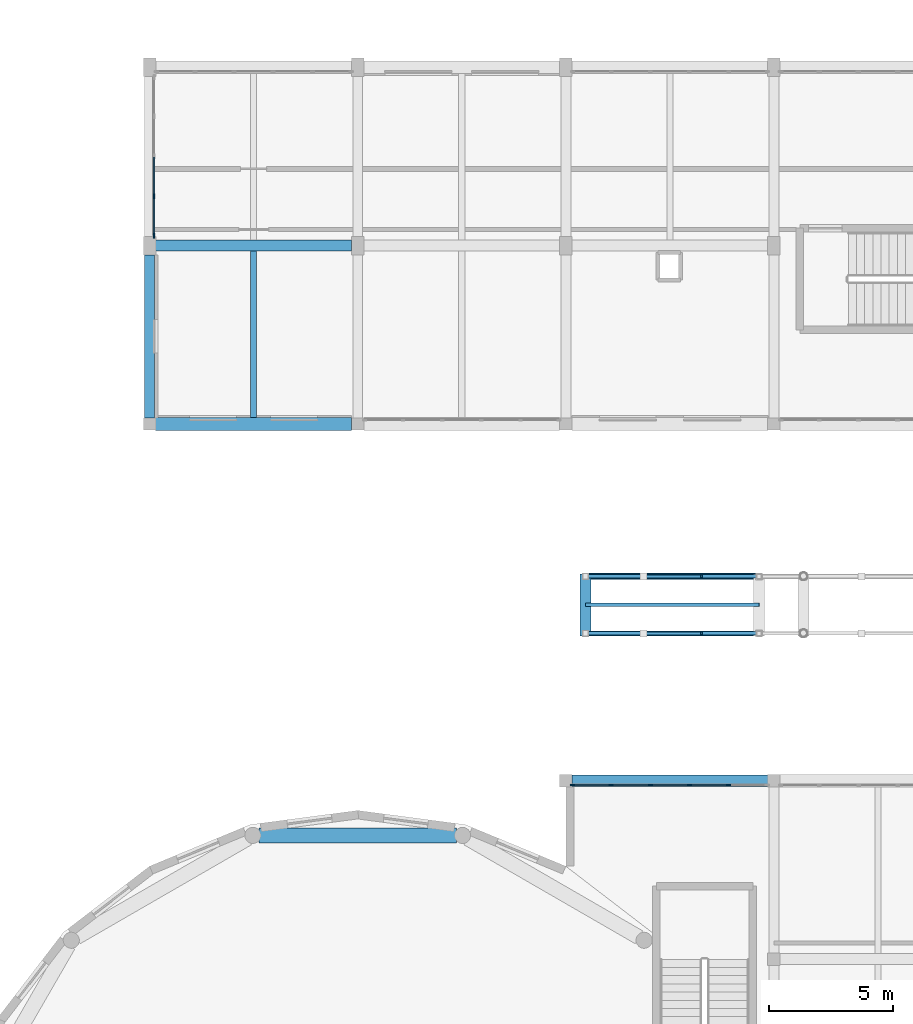
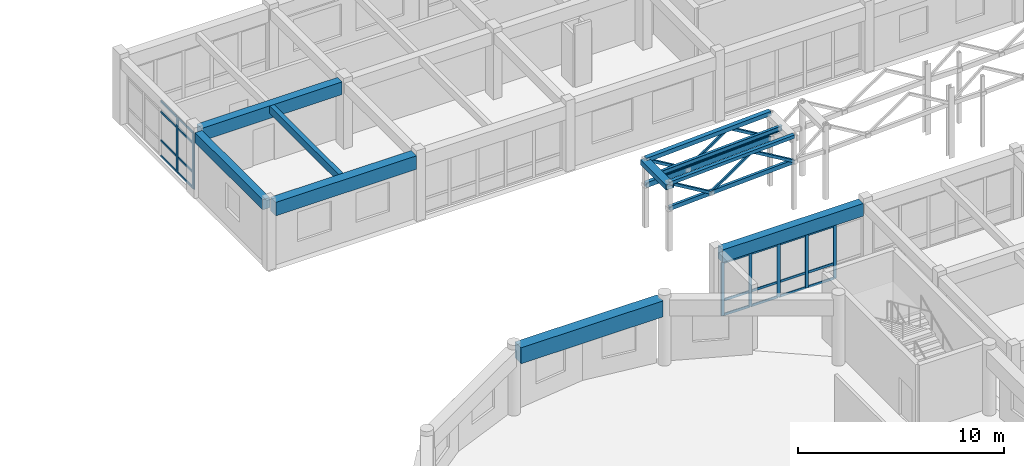
# One storey, part 35 of 147: 37 members, 8 beams, 2 elements without a shape of their own.
"""IFC4 building model written with IfcOpenShell, lengths in metres."""

from ifc_helpers import new_model, si_unit, direction, frame, origin, origin_2d, place, context, subcontext, project, spatial, rectangle, hollow_rectangle, i_section, extrude, material, material_profile, profile_set, type_object, element, aggregate, save


model = new_model("IFC4")

# Units and contexts
model_context = context("Model", 3, precision=1e-05, world=origin(), true_north=direction((0.0, 1.0)))
body_context = subcontext(model_context, "Body", "Model", "MODEL_VIEW")
ifc_project = project(units=[si_unit("LENGTHUNIT", "METRE"), si_unit("AREAUNIT", "SQUARE_METRE"), si_unit("VOLUMEUNIT", "CUBIC_METRE"), si_unit("PLANEANGLEUNIT", "RADIAN"), si_unit("MASSUNIT", "GRAM", prefix="KILO")], contexts=[model_context])

# Site, building, storey
site_placement = place(None, origin())
site = spatial("IfcSite", under=ifc_project, at=site_placement, CompositionType="ELEMENT")
building_placement = place(site_placement, origin())
building = spatial("IfcBuilding", under=site, at=building_placement, Name="Malvenik Polytechnic", CompositionType="ELEMENT")
storey_placement = place(building_placement, frame((0.0, 0.0, 5.10009765625)))
storey = spatial("IfcBuildingStorey", under=building, at=storey_placement, Name="L01", CompositionType="ELEMENT", Elevation=5.10009765625)

# Curtain wall, members
ifc_material_1 = material(Name="Anodised aluminium 6060-T6", Category="aluminium")
curtain_wall_type_1 = type_object("IfcCurtainWallType", Name="ARC-CW-CW-02", PredefinedType="NOTDEFINED", material=ifc_material_1)
curtain_wall_1_placement = place(storey_placement, origin())
curtain_wall_1 = element("IfcCurtainWall", 1, at=curtain_wall_1_placement, inside=storey, type_object=curtain_wall_type_1, Name="Unitised Curtain Wall CW-02 L01 #130", PredefinedType="NOTDEFINED")
ifc_material_2 = material(Name="Anodised aluminium", Category="aluminium")
ifc_material_profile_1 = material_profile(ifc_material_2, rectangle(XDim=0.06005859375, YDim=0.179931640625, at=origin_2d()), Name="ALU MULLION 60x180")
ifc_profile_set_1 = profile_set([ifc_material_profile_1], Name="Anodised aluminium")
member_type_1 = type_object("IfcMemberType", Name="ARC-CWM-180", PredefinedType="MULLION", material=ifc_profile_set_1)
member_1_placement = place(storey_placement, frame((25.47802734375, 35.830078125, 0.0), z_axis=(0.0, 0.0, 1.0), x_axis=(0.0, 1.0, 0.0)))
member_1 = element("IfcMember", 2, at=member_1_placement, type_object=member_type_1, Name="CW-02 mullion 1", PredefinedType="MULLION", context=body_context, shape_type="SweptSolid", body=[
    extrude(rectangle(XDim=0.06005859375, YDim=0.179931640625, at=origin_2d()), origin(), (0.0, 0.0, 1.0), 3.159912109375),
])
member_2_placement = place(storey_placement, frame((27.02880859375, 35.830078125, 0.0), z_axis=(0.0, 0.0, 1.0), x_axis=(0.0, 1.0, 0.0)))
member_2 = element("IfcMember", 3, at=member_2_placement, type_object=member_type_1, Name="CW-02 mullion 2", PredefinedType="MULLION", context=body_context, shape_type="SweptSolid", body=[
    extrude(rectangle(XDim=0.06005859375, YDim=0.179931640625, at=origin_2d()), origin(), (0.0, 0.0, 1.0), 3.159912109375),
])
member_3_placement = place(storey_placement, frame((28.609619140625, 35.830078125, 0.0), z_axis=(0.0, 0.0, 1.0), x_axis=(0.0, 1.0, 0.0)))
member_3 = element("IfcMember", 4, at=member_3_placement, type_object=member_type_1, Name="CW-02 mullion 3", PredefinedType="MULLION", context=body_context, shape_type="SweptSolid", body=[
    extrude(rectangle(XDim=0.06005859375, YDim=0.179931640625, at=origin_2d()), origin(), (0.0, 0.0, 1.0), 3.159912109375),
])
member_4_placement = place(storey_placement, frame((30.1904296875, 35.830078125, 0.0), z_axis=(0.0, 0.0, 1.0), x_axis=(0.0, 1.0, 0.0)))
member_4 = element("IfcMember", 5, at=member_4_placement, type_object=member_type_1, Name="CW-02 mullion 4", PredefinedType="MULLION", context=body_context, shape_type="SweptSolid", body=[
    extrude(rectangle(XDim=0.06005859375, YDim=0.179931640625, at=origin_2d()), origin(), (0.0, 0.0, 1.0), 3.159912109375),
])
member_5_placement = place(storey_placement, frame((31.771240234375, 35.830078125, 0.0), z_axis=(0.0, 0.0, 1.0), x_axis=(0.0, 1.0, 0.0)))
member_5 = element("IfcMember", 6, at=member_5_placement, type_object=member_type_1, Name="CW-02 mullion 5", PredefinedType="MULLION", context=body_context, shape_type="SweptSolid", body=[
    extrude(rectangle(XDim=0.06005859375, YDim=0.179931640625, at=origin_2d()), origin(), (0.0, 0.0, 1.0), 3.159912109375),
])

curtain_wall_type_2 = type_object("IfcCurtainWallType", Name="ARC-CW-CW-05", PredefinedType="NOTDEFINED", material=ifc_material_1)
curtain_wall_2_placement = place(storey_placement, origin())
curtain_wall_2 = element("IfcCurtainWall", 7, at=curtain_wall_2_placement, inside=storey, type_object=curtain_wall_type_2, Name="Unitised Curtain Wall CW-05 L01 #123", PredefinedType="NOTDEFINED")
ifc_material_profile_2 = material_profile(ifc_material_2, rectangle(XDim=0.06005859375, YDim=0.199951171875, at=origin_2d()), Name="ALU MULLION 60x200")
ifc_profile_set_2 = profile_set([ifc_material_profile_2], Name="Anodised aluminium")
member_type_2 = type_object("IfcMemberType", Name="ARC-CWM-200", PredefinedType="MULLION", material=ifc_profile_set_2)
member_6_placement = place(storey_placement, frame((8.570068359375, 58.0029296875, 0.0), z_axis=(0.0, 0.0, 1.0), x_axis=(-1.0, 0.0, 0.0)))
member_6 = element("IfcMember", 8, at=member_6_placement, type_object=member_type_2, Name="CW-05 mullion 1", PredefinedType="MULLION", context=body_context, shape_type="SweptSolid", body=[
    extrude(rectangle(XDim=0.06005859375, YDim=0.199951171875, at=origin_2d()), origin(), (0.0, 0.0, 1.0), 3.309814453125),
])
member_7_placement = place(storey_placement, frame((8.570068359375, 59.58642578125, 0.0), z_axis=(0.0, 0.0, 1.0), x_axis=(-1.0, 0.0, 0.0)))
member_7 = element("IfcMember", 9, at=member_7_placement, type_object=member_type_2, Name="CW-05 mullion 2", PredefinedType="MULLION", context=body_context, shape_type="SweptSolid", body=[
    extrude(rectangle(XDim=0.06005859375, YDim=0.199951171875, at=origin_2d()), origin(), (0.0, 0.0, 1.0), 3.309814453125),
])
ifc_material_profile_3 = material_profile(ifc_material_2, rectangle(XDim=0.06005859375, YDim=0.1201171875, at=origin_2d()), Name="ALU TRANSOM 60x120")
ifc_profile_set_3 = profile_set([ifc_material_profile_3], Name="Anodised aluminium")
member_type_3 = type_object("IfcMemberType", Name="ARC-CWT-120", PredefinedType="USERDEFINED", material=ifc_profile_set_3)
member_8_placement = place(storey_placement, frame((8.570068359375, 58.032958984375, 0.02978515625), z_axis=(0.0, 1.0, 0.0), x_axis=(-1.0, 0.0, 0.0)))
member_8 = element("IfcMember", 10, at=member_8_placement, type_object=member_type_3, Name="CW-05 transom 1.1", ObjectType="TRANSOM", PredefinedType="USERDEFINED", context=body_context, shape_type="SweptSolid", body=[
    extrude(rectangle(XDim=0.06005859375, YDim=0.1201171875, at=origin_2d()), origin(), (0.0, 0.0, 1.0), 1.5234375),
])
member_9_placement = place(storey_placement, frame((8.570068359375, 58.032958984375, 0.949951171875), z_axis=(0.0, 1.0, 0.0), x_axis=(-1.0, 0.0, 0.0)))
member_9 = element("IfcMember", 11, at=member_9_placement, type_object=member_type_3, Name="CW-05 transom 1.2", ObjectType="TRANSOM", PredefinedType="USERDEFINED", context=body_context, shape_type="SweptSolid", body=[
    extrude(rectangle(XDim=0.06005859375, YDim=0.1201171875, at=origin_2d()), origin(), (0.0, 0.0, 1.0), 1.5234375),
])
member_10_placement = place(storey_placement, frame((8.570068359375, 58.032958984375, 2.659912109375), z_axis=(0.0, 1.0, 0.0), x_axis=(-1.0, 0.0, 0.0)))
member_10 = element("IfcMember", 12, at=member_10_placement, type_object=member_type_3, Name="CW-05 transom 1.3", ObjectType="TRANSOM", PredefinedType="USERDEFINED", context=body_context, shape_type="SweptSolid", body=[
    extrude(rectangle(XDim=0.06005859375, YDim=0.1201171875, at=origin_2d()), origin(), (0.0, 0.0, 1.0), 1.5234375),
])
member_11_placement = place(storey_placement, frame((8.570068359375, 58.032958984375, 3.27978515625), z_axis=(0.0, 1.0, 0.0), x_axis=(-1.0, 0.0, 0.0)))
member_11 = element("IfcMember", 13, at=member_11_placement, type_object=member_type_3, Name="CW-05 transom 1.4", ObjectType="TRANSOM", PredefinedType="USERDEFINED", context=body_context, shape_type="SweptSolid", body=[
    extrude(rectangle(XDim=0.06005859375, YDim=0.1201171875, at=origin_2d()), origin(), (0.0, 0.0, 1.0), 1.5234375),
])
member_12_placement = place(storey_placement, frame((8.570068359375, 59.616455078125, 0.02978515625), z_axis=(0.0, 1.0, 0.0), x_axis=(-1.0, 0.0, 0.0)))
member_12 = element("IfcMember", 14, at=member_12_placement, type_object=member_type_3, Name="CW-05 transom 2.1", ObjectType="TRANSOM", PredefinedType="USERDEFINED", context=body_context, shape_type="SweptSolid", body=[
    extrude(rectangle(XDim=0.06005859375, YDim=0.1201171875, at=origin_2d()), origin(), (0.0, 0.0, 1.0), 1.553466796875),
])
member_13_placement = place(storey_placement, frame((8.570068359375, 59.616455078125, 0.949951171875), z_axis=(0.0, 1.0, 0.0), x_axis=(-1.0, 0.0, 0.0)))
member_13 = element("IfcMember", 15, at=member_13_placement, type_object=member_type_3, Name="CW-05 transom 2.2", ObjectType="TRANSOM", PredefinedType="USERDEFINED", context=body_context, shape_type="SweptSolid", body=[
    extrude(rectangle(XDim=0.06005859375, YDim=0.1201171875, at=origin_2d()), origin(), (0.0, 0.0, 1.0), 1.553466796875),
])
member_14_placement = place(storey_placement, frame((8.570068359375, 59.616455078125, 2.659912109375), z_axis=(0.0, 1.0, 0.0), x_axis=(-1.0, 0.0, 0.0)))
member_14 = element("IfcMember", 16, at=member_14_placement, type_object=member_type_3, Name="CW-05 transom 2.3", ObjectType="TRANSOM", PredefinedType="USERDEFINED", context=body_context, shape_type="SweptSolid", body=[
    extrude(rectangle(XDim=0.06005859375, YDim=0.1201171875, at=origin_2d()), origin(), (0.0, 0.0, 1.0), 1.553466796875),
])
member_15_placement = place(storey_placement, frame((8.570068359375, 59.616455078125, 3.27978515625), z_axis=(0.0, 1.0, 0.0), x_axis=(-1.0, 0.0, 0.0)))
member_15 = element("IfcMember", 17, at=member_15_placement, type_object=member_type_3, Name="CW-05 transom 2.4", ObjectType="TRANSOM", PredefinedType="USERDEFINED", context=body_context, shape_type="SweptSolid", body=[
    extrude(rectangle(XDim=0.06005859375, YDim=0.1201171875, at=origin_2d()), origin(), (0.0, 0.0, 1.0), 1.553466796875),
])
aggregate(curtain_wall_2, [member_6, member_7, member_8, member_9, member_10, member_11, member_12, member_13, member_14, member_15])

# Member
ifc_material_profile_4 = material_profile(ifc_material_2, rectangle(XDim=0.06005859375, YDim=0.139892578125, at=origin_2d()), Name="ALU TRANSOM 60x140")
ifc_profile_set_4 = profile_set([ifc_material_profile_4], Name="Anodised aluminium")
member_type_4 = type_object("IfcMemberType", Name="ARC-CWT-140", PredefinedType="USERDEFINED", material=ifc_profile_set_4)
member_16_placement = place(storey_placement, frame((25.508056640625, 35.830078125, 0.02978515625), z_axis=(1.0, 0.0, 0.0), x_axis=(0.0, 1.0, 0.0)))
member_16 = element("IfcMember", 18, at=member_16_placement, type_object=member_type_4, Name="CW-02 transom 1.1", ObjectType="TRANSOM", PredefinedType="USERDEFINED", context=body_context, shape_type="SweptSolid", body=[
    extrude(rectangle(XDim=0.06005859375, YDim=0.139892578125, at=origin_2d()), origin(), (0.0, 0.0, 1.0), 1.49072265625),
])

member_17_placement = place(storey_placement, frame((25.508056640625, 35.830078125, 0.89990234375), z_axis=(1.0, 0.0, 0.0), x_axis=(0.0, 1.0, 0.0)))
member_17 = element("IfcMember", 19, at=member_17_placement, type_object=member_type_4, Name="CW-02 transom 1.2", ObjectType="TRANSOM", PredefinedType="USERDEFINED", context=body_context, shape_type="SweptSolid", body=[
    extrude(rectangle(XDim=0.06005859375, YDim=0.139892578125, at=origin_2d()), origin(), (0.0, 0.0, 1.0), 1.49072265625),
])

member_18_placement = place(storey_placement, frame((25.508056640625, 35.830078125, 3.1298828125), z_axis=(1.0, 0.0, 0.0), x_axis=(0.0, 1.0, 0.0)))
member_18 = element("IfcMember", 20, at=member_18_placement, type_object=member_type_4, Name="CW-02 transom 1.3", ObjectType="TRANSOM", PredefinedType="USERDEFINED", context=body_context, shape_type="SweptSolid", body=[
    extrude(rectangle(XDim=0.06005859375, YDim=0.139892578125, at=origin_2d()), origin(), (0.0, 0.0, 1.0), 1.49072265625),
])

member_19_placement = place(storey_placement, frame((27.058837890625, 35.830078125, 0.02978515625), z_axis=(1.0, 0.0, 0.0), x_axis=(0.0, 1.0, 0.0)))
member_19 = element("IfcMember", 21, at=member_19_placement, type_object=member_type_4, Name="CW-02 transom 2.1", ObjectType="TRANSOM", PredefinedType="USERDEFINED", context=body_context, shape_type="SweptSolid", body=[
    extrude(rectangle(XDim=0.06005859375, YDim=0.139892578125, at=origin_2d()), origin(), (0.0, 0.0, 1.0), 1.520751953125),
])

member_20_placement = place(storey_placement, frame((27.058837890625, 35.830078125, 0.89990234375), z_axis=(1.0, 0.0, 0.0), x_axis=(0.0, 1.0, 0.0)))
member_20 = element("IfcMember", 22, at=member_20_placement, type_object=member_type_4, Name="CW-02 transom 2.2", ObjectType="TRANSOM", PredefinedType="USERDEFINED", context=body_context, shape_type="SweptSolid", body=[
    extrude(rectangle(XDim=0.06005859375, YDim=0.139892578125, at=origin_2d()), origin(), (0.0, 0.0, 1.0), 1.520751953125),
])

member_21_placement = place(storey_placement, frame((27.058837890625, 35.830078125, 3.1298828125), z_axis=(1.0, 0.0, 0.0), x_axis=(0.0, 1.0, 0.0)))
member_21 = element("IfcMember", 23, at=member_21_placement, type_object=member_type_4, Name="CW-02 transom 2.3", ObjectType="TRANSOM", PredefinedType="USERDEFINED", context=body_context, shape_type="SweptSolid", body=[
    extrude(rectangle(XDim=0.06005859375, YDim=0.139892578125, at=origin_2d()), origin(), (0.0, 0.0, 1.0), 1.520751953125),
])

member_22_placement = place(storey_placement, frame((28.6396484375, 35.830078125, 0.02978515625), z_axis=(1.0, 0.0, 0.0), x_axis=(0.0, 1.0, 0.0)))
member_22 = element("IfcMember", 24, at=member_22_placement, type_object=member_type_4, Name="CW-02 transom 3.1", ObjectType="TRANSOM", PredefinedType="USERDEFINED", context=body_context, shape_type="SweptSolid", body=[
    extrude(rectangle(XDim=0.06005859375, YDim=0.139892578125, at=origin_2d()), origin(), (0.0, 0.0, 1.0), 1.520751953125),
])

member_23_placement = place(storey_placement, frame((28.6396484375, 35.830078125, 0.89990234375), z_axis=(1.0, 0.0, 0.0), x_axis=(0.0, 1.0, 0.0)))
member_23 = element("IfcMember", 25, at=member_23_placement, type_object=member_type_4, Name="CW-02 transom 3.2", ObjectType="TRANSOM", PredefinedType="USERDEFINED", context=body_context, shape_type="SweptSolid", body=[
    extrude(rectangle(XDim=0.06005859375, YDim=0.139892578125, at=origin_2d()), origin(), (0.0, 0.0, 1.0), 1.520751953125),
])

member_24_placement = place(storey_placement, frame((28.6396484375, 35.830078125, 3.1298828125), z_axis=(1.0, 0.0, 0.0), x_axis=(0.0, 1.0, 0.0)))
member_24 = element("IfcMember", 26, at=member_24_placement, type_object=member_type_4, Name="CW-02 transom 3.3", ObjectType="TRANSOM", PredefinedType="USERDEFINED", context=body_context, shape_type="SweptSolid", body=[
    extrude(rectangle(XDim=0.06005859375, YDim=0.139892578125, at=origin_2d()), origin(), (0.0, 0.0, 1.0), 1.520751953125),
])

member_25_placement = place(storey_placement, frame((30.220458984375, 35.830078125, 0.02978515625), z_axis=(1.0, 0.0, 0.0), x_axis=(0.0, 1.0, 0.0)))
member_25 = element("IfcMember", 27, at=member_25_placement, type_object=member_type_4, Name="CW-02 transom 4.1", ObjectType="TRANSOM", PredefinedType="USERDEFINED", context=body_context, shape_type="SweptSolid", body=[
    extrude(rectangle(XDim=0.06005859375, YDim=0.139892578125, at=origin_2d()), origin(), (0.0, 0.0, 1.0), 1.520751953125),
])

member_26_placement = place(storey_placement, frame((30.220458984375, 35.830078125, 0.89990234375), z_axis=(1.0, 0.0, 0.0), x_axis=(0.0, 1.0, 0.0)))
member_26 = element("IfcMember", 28, at=member_26_placement, type_object=member_type_4, Name="CW-02 transom 4.2", ObjectType="TRANSOM", PredefinedType="USERDEFINED", context=body_context, shape_type="SweptSolid", body=[
    extrude(rectangle(XDim=0.06005859375, YDim=0.139892578125, at=origin_2d()), origin(), (0.0, 0.0, 1.0), 1.520751953125),
])

member_27_placement = place(storey_placement, frame((30.220458984375, 35.830078125, 3.1298828125), z_axis=(1.0, 0.0, 0.0), x_axis=(0.0, 1.0, 0.0)))
member_27 = element("IfcMember", 29, at=member_27_placement, type_object=member_type_4, Name="CW-02 transom 4.3", ObjectType="TRANSOM", PredefinedType="USERDEFINED", context=body_context, shape_type="SweptSolid", body=[
    extrude(rectangle(XDim=0.06005859375, YDim=0.139892578125, at=origin_2d()), origin(), (0.0, 0.0, 1.0), 1.520751953125),
])

aggregate(curtain_wall_1, [member_1, member_2, member_3, member_4, member_5, member_16, member_17, member_18, member_19, member_20, member_21, member_22, member_23, member_24, member_25, member_26, member_27])

# Beams
ifc_material_3 = material(Name="Concrete C35/45", Category="concrete")
ifc_material_profile_5 = material_profile(ifc_material_3, rectangle(XDim=0.449951171875, YDim=0.75, at=origin_2d()), Name="RC BM 450x750")
ifc_profile_set_5 = profile_set([ifc_material_profile_5], Name="Concrete C35/45")
beam_type_1 = type_object("IfcBeamType", Name="STR-BM-B-03", PredefinedType="BEAM", material=ifc_profile_set_5)
for number, where, z_axis, x_axis, name in (
    (30, (25.447998046875, 36.0, 3.544921875), (1.0, 0.0, 0.0), (0.0, 1.0, 0.0), "Primary Beam B-03 L01 #987"),
    (31, (8.64794921875, 57.60009765625, 3.544921875), (1.0, 0.0, 0.0), (0.0, 1.0, 0.0), "Primary Beam B-03 L01 #1015"),
):
    element("IfcBeam", number, at=place(storey_placement, frame(where, z_axis=z_axis, x_axis=x_axis)), inside=storey, type_object=beam_type_1, Name=name, PredefinedType="BEAM", context=body_context, shape_type="SweptSolid", body=[
        extrude(rectangle(XDim=0.449951171875, YDim=0.75, at=origin_2d()), origin(), (0.0, 0.0, 1.0), 7.904052734375),
    ])
ifc_material_profile_6 = material_profile(ifc_material_3, rectangle(XDim=0.39990234375, YDim=0.60009765625, at=origin_2d()), Name="RC BM 400x600")
ifc_profile_set_6 = profile_set([ifc_material_profile_6], Name="Concrete C35/45")
beam_type_2 = type_object("IfcBeamType", Name="STR-BM-B-06", PredefinedType="BEAM", material=ifc_profile_set_6)
beam_1_placement = place(storey_placement, frame((8.39990234375, 50.64794921875, 3.619873046875), z_axis=(0.0, 1.0, 0.0), x_axis=(-1.0, 0.0, 0.0)))
element("IfcBeam", 32, at=beam_1_placement, inside=storey, type_object=beam_type_2, Name="Transverse Beam B-06 L01 #1131", PredefinedType="BEAM", context=body_context, shape_type="SweptSolid", body=[
    extrude(rectangle(XDim=0.39990234375, YDim=0.60009765625, at=origin_2d()), origin(), (0.0, 0.0, 1.0), 6.5791015625),
])
ifc_material_4 = material(Name="Concrete C30/37", Category="concrete")
ifc_material_profile_7 = material_profile(ifc_material_4, rectangle(XDim=0.25, YDim=0.449951171875, at=origin_2d()), Name="RC JST 250x450")
ifc_profile_set_7 = profile_set([ifc_material_profile_7], Name="Concrete C30/37")
beam_type_3 = type_object("IfcBeamType", Name="STR-BM-J-02", PredefinedType="JOIST", material=ifc_profile_set_7)
beam_2_placement = place(storey_placement, frame((12.60009765625, 50.657958984375, 3.69482421875), z_axis=(0.0, 1.0, 0.0), x_axis=(-1.0, 0.0, 0.0)))
element("IfcBeam", 33, at=beam_2_placement, inside=storey, type_object=beam_type_3, Name="Secondary Rib Joist J-02 L01 #1254", PredefinedType="JOIST", context=body_context, shape_type="SweptSolid", body=[
    extrude(rectangle(XDim=0.25, YDim=0.449951171875, at=origin_2d()), origin(), (0.0, 0.0, 1.0), 6.718994140625),
])
ifc_material_5 = material(Name="Concrete C40/50", Category="concrete")
ifc_material_profile_8 = material_profile(ifc_material_5, rectangle(XDim=0.60009765625, YDim=0.949951171875, at=origin_2d()), Name="RC RG 600x950")
ifc_profile_set_8 = profile_set([ifc_material_profile_8], Name="Concrete C40/50")
beam_type_4 = type_object("IfcBeamType", Name="STR-BM-RG-02", PredefinedType="BEAM", material=ifc_profile_set_8)
beam_3_placement = place(storey_placement, frame((20.7919921875, 33.79296875, 3.44482421875), z_axis=(-1.0, 0.0, 0.0), x_axis=(0.0, -1.0, 0.0)))
element("IfcBeam", 34, at=beam_3_placement, inside=storey, type_object=beam_type_4, Name="Rotunda Ring Girder RG-02 L01-3", PredefinedType="BEAM", context=body_context, shape_type="SweptSolid", body=[
    extrude(rectangle(XDim=0.60009765625, YDim=0.949951171875, at=origin_2d()), origin(), (0.0, 0.0, 1.0), 7.98388671875),
])
ifc_material_6 = material(Name="Steel S355J2H", Category="steel")
ifc_material_profile_9 = material_profile(ifc_material_6, hollow_rectangle(XDim=0.449951171875, YDim=0.300048828125, WallThickness=0.012451171875, at=origin_2d()), Name="RHS 450x300x12.5")
ifc_profile_set_9 = profile_set([ifc_material_profile_9], Name="Steel S355J2H")
beam_type_5 = type_object("IfcBeamType", Name="STR-BM-SB-07", PredefinedType="BEAM", material=ifc_profile_set_9)
beam_4_placement = place(storey_placement, frame((26.0, 41.85009765625, 3.822021484375), z_axis=(0.0, 1.0, 0.0), x_axis=(-1.0, 0.0, 0.0)))
element("IfcBeam", 35, at=beam_4_placement, inside=storey, type_object=beam_type_5, Name="Ramp Joint Transom RB-01 #0", PredefinedType="BEAM", context=body_context, shape_type="SweptSolid", body=[
    extrude(hollow_rectangle(XDim=0.449951171875, YDim=0.300048828125, WallThickness=0.012451171875, at=origin_2d()), origin(), (0.0, 0.0, 1.0), 2.5),
])
ifc_material_7 = material(Name="Steel S355", Category="steel")
ifc_material_profile_10 = material_profile(ifc_material_7, i_section(OverallWidth=0.14990234375, OverallDepth=0.300048828125, WebThickness=0.007080078125, FlangeThickness=0.0107421875, FilletRadius=0.014892578125, at=origin_2d()), Name="IPE 300")
ifc_profile_set_10 = profile_set([ifc_material_profile_10], Name="Steel S355")
beam_type_6 = type_object("IfcBeamType", Name="STR-BM-SB-09", PredefinedType="JOIST", material=ifc_profile_set_10)
beam_5_placement = place(storey_placement, frame((26.0, 43.10009765625, 3.77490234375), z_axis=(0.998751643845, 0.0, 0.049951515669), x_axis=(0.0, 1.0, 0.0)))
element("IfcBeam", 36, at=beam_5_placement, inside=storey, type_object=beam_type_6, Name="Ramp Centreline Stringer RB-01 #0", PredefinedType="JOIST", context=body_context, shape_type="SweptSolid", body=[
    extrude(i_section(OverallWidth=0.14990234375, OverallDepth=0.300048828125, WebThickness=0.007080078125, FlangeThickness=0.0107421875, FilletRadius=0.014892578125, at=origin_2d()), origin(), (0.0, 0.0, 1.0), 7.0087890625),
])
ifc_material_8 = material(Name="Precast concrete C40/50", Category="concrete")
ifc_material_profile_11 = material_profile(ifc_material_8, rectangle(XDim=0.52001953125, YDim=0.800048828125, at=origin_2d()), Name="PC SPN 520x800")
ifc_profile_set_11 = profile_set([ifc_material_profile_11], Name="Precast concrete C40/50")
beam_type_7 = type_object("IfcBeamType", Name="STR-BM-SP-01", PredefinedType="SPANDREL", material=ifc_profile_set_11)
beam_6_placement = place(storey_placement, frame((8.64794921875, 50.39990234375, 3.52001953125), z_axis=(1.0, 0.0, 0.0), x_axis=(0.0, 1.0, 0.0)))
element("IfcBeam", 37, at=beam_6_placement, inside=storey, type_object=beam_type_7, Name="Primary Beam SP-01 L01 #1000", PredefinedType="SPANDREL", context=body_context, shape_type="SweptSolid", body=[
    extrude(rectangle(XDim=0.52001953125, YDim=0.800048828125, at=origin_2d()), origin(), (0.0, 0.0, 1.0), 7.904052734375),
])

# Members
ifc_material_profile_12 = material_profile(ifc_material_6, hollow_rectangle(XDim=0.14990234375, YDim=0.25, WallThickness=0.010009765625, at=origin_2d()), Name="RHS 250x150x10.0")
ifc_profile_set_12 = profile_set([ifc_material_profile_12], Name="Steel S355J2H")
member_type_5 = type_object("IfcMemberType", Name="STR-MEM-TRB-01", PredefinedType="CHORD", material=ifc_profile_set_12)
member_28_placement = place(storey_placement, frame((26.00390625, 41.949951171875, 2.47998046875), z_axis=(0.998752338878, 0.0, 0.049937616944), x_axis=(0.0, 1.0, 0.0)))
element("IfcMember", 38, at=member_28_placement, inside=storey, type_object=member_type_5, Name="Space-Frame Tube TRB-01 STR-TR-BC-RB-01-1-00", PredefinedType="CHORD", context=body_context, shape_type="SweptSolid", body=[
    extrude(hollow_rectangle(XDim=0.14990234375, YDim=0.25, WallThickness=0.010009765625, at=origin_2d()), origin(), (0.0, 0.0, 1.0), 7.0009765625),
])
ifc_material_profile_13 = material_profile(ifc_material_6, hollow_rectangle(XDim=0.199951171875, YDim=0.300048828125, WallThickness=0.010009765625, at=origin_2d()), Name="RHS 300x200x10.0")
ifc_profile_set_13 = profile_set([ifc_material_profile_13], Name="Steel S355J2H")
member_type_6 = type_object("IfcMemberType", Name="STR-MEM-TRB-02", PredefinedType="CHORD", material=ifc_profile_set_13)
member_29_placement = place(storey_placement, frame((26.00390625, 44.25, 2.47998046875), z_axis=(0.998752338878, 0.0, 0.049937616944), x_axis=(0.0, 1.0, 0.0)))
element("IfcMember", 39, at=member_29_placement, inside=storey, type_object=member_type_6, Name="Space-Frame Tube TRB-02 STR-TR-BC-RB-01-2-00", PredefinedType="CHORD", context=body_context, shape_type="SweptSolid", body=[
    extrude(hollow_rectangle(XDim=0.199951171875, YDim=0.300048828125, WallThickness=0.010009765625, at=origin_2d()), origin(), (0.0, 0.0, 1.0), 7.0009765625),
])
ifc_material_profile_14 = material_profile(ifc_material_6, hollow_rectangle(XDim=0.14990234375, YDim=0.14990234375, WallThickness=0.008056640625, at=origin_2d()), Name="SHS 150x150x8.0")
ifc_profile_set_14 = profile_set([ifc_material_profile_14], Name="Steel S355J2H")
member_type_7 = type_object("IfcMemberType", Name="STR-MEM-TRD-01", PredefinedType="BRACE", material=ifc_profile_set_14)
for number, where, z_axis, x_axis, name in (
    (40, (26.00341796875, 41.949951171875, 3.977783203125), (0.860205006447, 0.0, -0.509948376684), (0.0, 1.0, 0.0), "Space-Frame Tube TRD-01 STR-TRD-01-RB-01-1-00"),
    (41, (30.670166015625, 41.949951171875, 4.211181640625), (0.860165406805, 0.0, -0.51001516932), (0.0, 1.0, 0.0), "Space-Frame Tube TRD-01 STR-TRD-03-RB-01-1-00"),
    (42, (26.00341796875, 44.25, 3.977783203125), (0.860205006447, 0.0, -0.509948376684), (0.0, 1.0, 0.0), "Space-Frame Tube TRD-01 STR-TRD-01-RB-01-2-00"),
    (43, (30.670166015625, 44.25, 4.211181640625), (0.860165406805, 0.0, -0.51001516932), (0.0, 1.0, 0.0), "Space-Frame Tube TRD-01 STR-TRD-03-RB-01-2-00"),
):
    element("IfcMember", number, at=place(storey_placement, frame(where, z_axis=z_axis, x_axis=x_axis)), inside=storey, type_object=member_type_7, Name=name, PredefinedType="BRACE", context=body_context, shape_type="SweptSolid", body=[
        extrude(hollow_rectangle(XDim=0.14990234375, YDim=0.14990234375, WallThickness=0.008056640625, at=origin_2d()), origin(), (0.0, 0.0, 1.0), 2.70458984375),
    ])
ifc_material_profile_15 = material_profile(ifc_material_6, hollow_rectangle(XDim=0.1201171875, YDim=0.1201171875, WallThickness=0.00634765625, at=origin_2d()), Name="SHS 120x120x6.3")
ifc_profile_set_15 = profile_set([ifc_material_profile_15], Name="Steel S355J2H")
member_type_8 = type_object("IfcMemberType", Name="STR-MEM-TRD-02", PredefinedType="BRACE", material=ifc_profile_set_15)
for number, where, z_axis, x_axis, name in (
    (44, (28.336669921875, 41.949951171875, 2.598876953125), (0.821977884392, 0.0, 0.569519409301), (0.0, 1.0, 0.0), "Space-Frame Tube TRD-02 STR-TRD-02-RB-01-1-00"),
    (45, (28.336669921875, 44.25, 2.598876953125), (0.821977884392, 0.0, 0.569519409301), (0.0, 1.0, 0.0), "Space-Frame Tube TRD-02 STR-TRD-02-RB-01-2-00"),
):
    element("IfcMember", number, at=place(storey_placement, frame(where, z_axis=z_axis, x_axis=x_axis)), inside=storey, type_object=member_type_8, Name=name, PredefinedType="BRACE", context=body_context, shape_type="SweptSolid", body=[
        extrude(hollow_rectangle(XDim=0.1201171875, YDim=0.1201171875, WallThickness=0.00634765625, at=origin_2d()), origin(), (0.0, 0.0, 1.0), 2.83056640625),
    ])
ifc_material_profile_16 = material_profile(ifc_material_6, hollow_rectangle(XDim=0.199951171875, YDim=0.199951171875, WallThickness=0.010009765625, at=origin_2d()), Name="SHS 200x200x10.0")
ifc_profile_set_16 = profile_set([ifc_material_profile_16], Name="Steel S355J2H")
member_type_9 = type_object("IfcMemberType", Name="STR-MEM-TRT-01", PredefinedType="CHORD", material=ifc_profile_set_16)
member_30_placement = place(storey_placement, frame((26.00390625, 41.949951171875, 3.97998046875), z_axis=(0.998752338878, 0.0, 0.049937616944), x_axis=(0.0, 1.0, 0.0)))
element("IfcMember", 46, at=member_30_placement, inside=storey, type_object=member_type_9, Name="Space-Frame Tube TRT-01 STR-TR-TC-RB-01-1-00", PredefinedType="CHORD", context=body_context, shape_type="SweptSolid", body=[
    extrude(hollow_rectangle(XDim=0.199951171875, YDim=0.199951171875, WallThickness=0.010009765625, at=origin_2d()), origin(), (0.0, 0.0, 1.0), 7.0009765625),
])
ifc_material_profile_17 = material_profile(ifc_material_6, hollow_rectangle(XDim=0.25, YDim=0.25, WallThickness=0.010009765625, at=origin_2d()), Name="SHS 250x250x10.0")
ifc_profile_set_17 = profile_set([ifc_material_profile_17], Name="Steel S355J2H")
member_type_10 = type_object("IfcMemberType", Name="STR-MEM-TRT-02", PredefinedType="CHORD", material=ifc_profile_set_17)
member_31_placement = place(storey_placement, frame((26.00390625, 44.25, 3.97998046875), z_axis=(0.998752338878, 0.0, 0.049937616944), x_axis=(0.0, 1.0, 0.0)))
element("IfcMember", 47, at=member_31_placement, inside=storey, type_object=member_type_10, Name="Space-Frame Tube TRT-02 STR-TR-TC-RB-01-2-00", PredefinedType="CHORD", context=body_context, shape_type="SweptSolid", body=[
    extrude(hollow_rectangle(XDim=0.25, YDim=0.25, WallThickness=0.010009765625, at=origin_2d()), origin(), (0.0, 0.0, 1.0), 7.0009765625),
])

save(model, "model.ifc")
